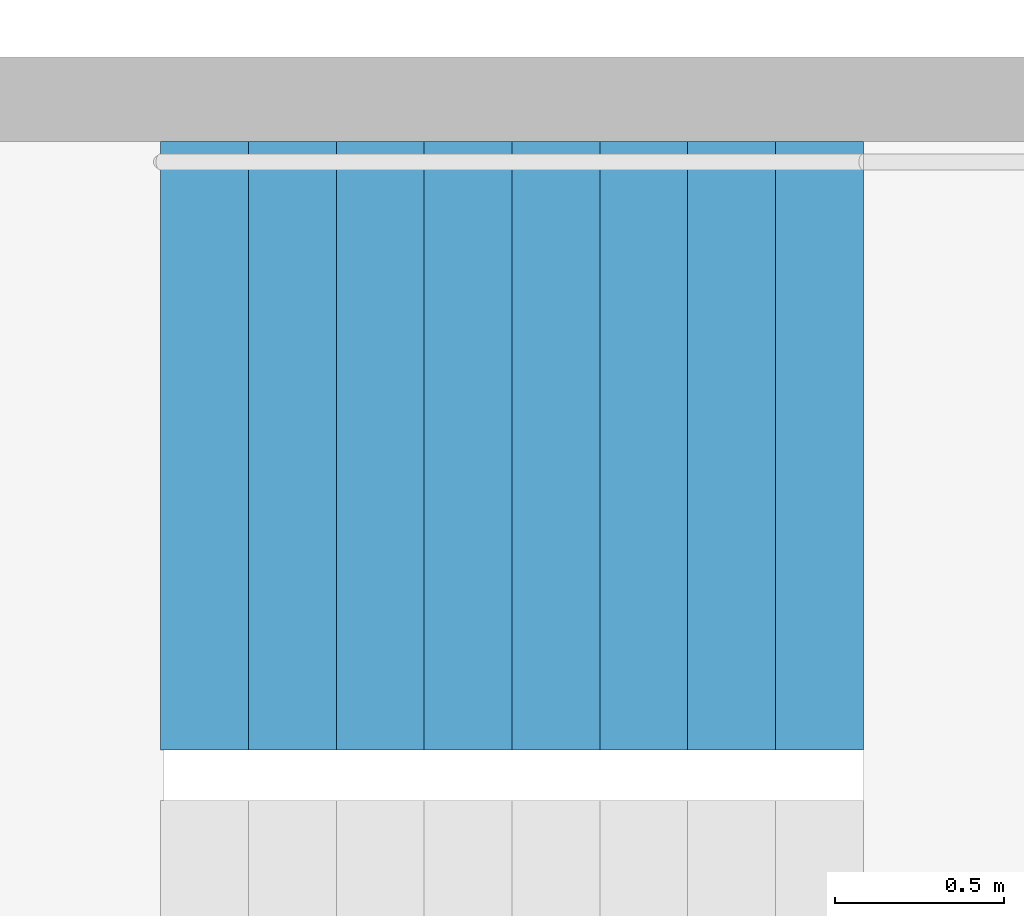
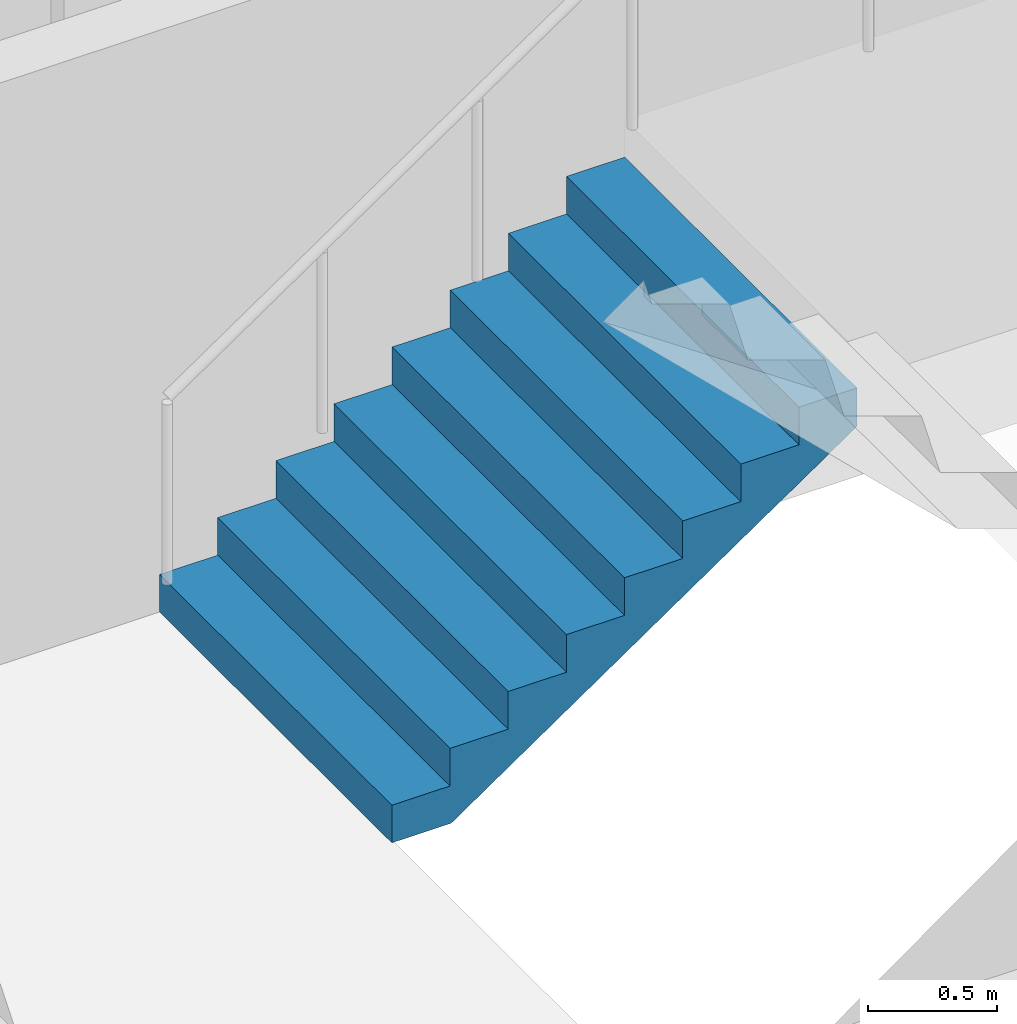
# One storey, part 22 of 25: 1 stair flight, 1 element without a shape of its own.
"""IFC4 building model written with IfcOpenShell, lengths in metres."""

import ifcopenshell
import ifcopenshell.guid

model = None  # the IFC model being written
_history = None  # IfcOwnerHistory: only IFC2X3 demands one
_inside = {}  # id of a spatial element -> (the spatial element, [elements in it])
_under = {}  # id of a project, library or spatial element -> (it, [spatial elements below it])
_declared = {}  # id of a project -> (the project, [libraries it declares])
_typed = {}  # id of a type object -> (the type object, [elements of that type])
_made_of = {}  # id of a material, layer set ... -> (it, [elements and type objects made of it])


def new_model(schema):
    """Start an empty IFC model of exactly this schema.

    Asked for "IFC4X3", IfcOpenShell would pick the latest addendum, in which some entities
    have other attributes; the version numbers below select the first issue.
    IFC2X3 requires an IfcOwnerHistory on every rooted entity: one is made here for all.
    """
    global model, _history
    if schema == "IFC4X3":
        model = ifcopenshell.file(schema_version=(4, 3, 0, 0))
    else:
        model = ifcopenshell.file(schema=schema)
    _inside.clear()
    _under.clear()
    _declared.clear()
    _typed.clear()
    _made_of.clear()
    _history = None
    if model.schema == "IFC2X3":
        org = make("IfcOrganization", Name="unknown")
        user = make(
            "IfcPersonAndOrganization",
            ThePerson=make("IfcPerson", FamilyName="unknown"),
            TheOrganization=org,
        )
        app = make(
            "IfcApplication",
            ApplicationDeveloper=org,
            Version="unknown",
            ApplicationFullName="unknown",
            ApplicationIdentifier="unknown",
        )
        _history = make(
            "IfcOwnerHistory",
            OwningUser=user,
            OwningApplication=app,
            ChangeAction="ADDED",
            CreationDate=0,
        )
    return model


def make(cls, **values):
    """One entity of the class cls with the attributes given. An attribute that is None is left unset."""
    return model.create_entity(
        cls, **{name: value for name, value in values.items() if value is not None}
    )


def rooted(cls, **values):
    """An entity with a GlobalId (a new one), such as an element, a storey or a relation."""
    return make(cls, GlobalId=ifcopenshell.guid.new(), OwnerHistory=_history, **values)


def si_unit(unit_type, name, prefix=None):
    """IfcSIUnit, for example si_unit("LENGTHUNIT", "METRE", prefix="MILLI")."""
    return make("IfcSIUnit", UnitType=unit_type, Prefix=prefix, Name=name)


def assignment(units):
    """IfcUnitAssignment: the units of a project."""
    return None if units is None else make("IfcUnitAssignment", Units=units)


def point(xyz):
    """IfcCartesianPoint."""
    return None if xyz is None else make("IfcCartesianPoint", Coordinates=xyz)


def direction(xyz):
    """IfcDirection."""
    return None if xyz is None else make("IfcDirection", DirectionRatios=xyz)


def frame(location, z_axis=None, x_axis=None):
    """IfcAxis2Placement3D, a coordinate frame: its origin and axes. An axis left out is left unset."""
    return make(
        "IfcAxis2Placement3D",
        Location=point(location),
        Axis=direction(z_axis),
        RefDirection=direction(x_axis),
    )


def origin():
    """The frame at (0, 0, 0) with its axes left unset."""
    return frame((0.0, 0.0, 0.0))


def place(relative_to, where):
    """IfcLocalPlacement: puts the frame where relative to a parent placement (None: the world)."""
    return make(
        "IfcLocalPlacement", PlacementRelTo=relative_to, RelativePlacement=where
    )


def context(
    kind, dimensions, precision=None, world=None, true_north=None, identifier=None
):
    """IfcGeometricRepresentationContext, for example the 3D "Model" context."""
    return make(
        "IfcGeometricRepresentationContext",
        ContextIdentifier=identifier,
        ContextType=kind,
        CoordinateSpaceDimension=dimensions,
        Precision=precision,
        WorldCoordinateSystem=world,
        TrueNorth=true_north,
    )


def subcontext(parent, identifier, kind, view, scale=None):
    """IfcGeometricRepresentationSubContext, for example "Body" below "Model"."""
    return make(
        "IfcGeometricRepresentationSubContext",
        ContextIdentifier=identifier,
        ContextType=kind,
        ParentContext=parent,
        TargetScale=scale,
        TargetView=view,
    )


def project(units=None, contexts=None):
    """IfcProject with its units and contexts."""
    return rooted(
        "IfcProject",
        Name="project",
        RepresentationContexts=contexts,
        UnitsInContext=assignment(units),
    )


def spatial(cls, under=None, at=None, **own):
    """A site, building, storey or space (cls), placed at a placement, below another one or the project."""
    s = rooted(cls, ObjectPlacement=at, **own)
    if under is not None:
        _under.setdefault(under.id(), (under, []))[1].append(s)
    return s


def point_list(points):
    """IfcCartesianPointList2D or 3D."""
    cls = (
        "IfcCartesianPointList2D" if len(points[0]) == 2 else "IfcCartesianPointList3D"
    )
    return make(cls, CoordList=points)


def triangles(points, corners, closed=None, point_numbers=None):
    """IfcTriangulatedFaceSet: each triangle names its three corners, points numbered from 1."""
    return make(
        "IfcTriangulatedFaceSet",
        Coordinates=point_list(points),
        Closed=closed,
        CoordIndex=corners,
        PnIndex=point_numbers,
    )


def shape(context_of_items, identifier, shape_type, items):
    """IfcShapeRepresentation: the items that make up one representation, for example the "Body"."""
    return make(
        "IfcShapeRepresentation",
        ContextOfItems=context_of_items,
        RepresentationIdentifier=identifier,
        RepresentationType=shape_type,
        Items=items,
    )


def material(Name=None, Category=None):
    """IfcMaterial."""
    return make("IfcMaterial", Name=Name, Category=Category)


def made_of(thing, what):
    """Note that an element or type object is made of a material, layer set ...; save() writes the relation."""
    if what is not None:
        _made_of.setdefault(what.id(), (what, []))[1].append(thing)
    return thing


def type_object(cls, material=None, **own):
    """A type object (cls), such as IfcWallType, which elements share."""
    return made_of(rooted(cls, **own), material)


def element(
    cls,
    number,
    at=None,
    inside=None,
    cuts=None,
    type_object=None,
    material=None,
    context=None,
    identifier="Body",
    shape_type=None,
    held_by="IfcProductDefinitionShape",
    body=None,
    shapes=None,
    **own,
):
    """One element of the class cls, such as IfcWall. Its Tag is "e" and its number.

    at: its placement. inside: the storey or other place that contains it. cuts: it is an
    opening in that element (IfcRelVoidsElement). A single representation is given by context,
    identifier, shape_type and body (its items); several are given by shapes. held_by: the class
    of the entity that holds the representations. save() writes the other relations.
    """
    e = rooted(cls, Tag="e%d" % number, ObjectPlacement=at, **own)
    if body is not None:
        shapes = [shape(context, identifier, shape_type, body)]
    if shapes is not None:
        e.Representation = make(held_by, Representations=shapes)
    if inside is not None:
        _inside.setdefault(inside.id(), (inside, []))[1].append(e)
    if cuts is not None:
        rooted(
            "IfcRelVoidsElement", RelatingBuildingElement=cuts, RelatedOpeningElement=e
        )
    if type_object is not None:
        _typed.setdefault(type_object.id(), (type_object, []))[1].append(e)
    return made_of(e, material)


def aggregate(whole, parts):
    """IfcRelAggregates: a whole, such as a stair, and the parts it consists of."""
    return rooted("IfcRelAggregates", RelatingObject=whole, RelatedObjects=parts)


def save(model, path):
    """Write the relations noted so far, then the file.

    IfcRelAggregates (storeys below a building ...), IfcRelContainedInSpatialStructure (elements
    in a storey), IfcRelDefinesByType, IfcRelAssociatesMaterial and IfcRelDeclares: one each for
    every whole, place, type object, material and project.
    """
    for whole, parts in _under.values():
        aggregate(whole, parts)
    for where, things in _inside.values():
        rooted(
            "IfcRelContainedInSpatialStructure",
            RelatedElements=things,
            RelatingStructure=where,
        )
    for kind, things in _typed.values():
        rooted("IfcRelDefinesByType", RelatedObjects=things, RelatingType=kind)
    for what, things in _made_of.values():
        rooted("IfcRelAssociatesMaterial", RelatedObjects=things, RelatingMaterial=what)
    for by, libraries in _declared.values():
        rooted("IfcRelDeclares", RelatingContext=by, RelatedDefinitions=libraries)
    model.write(path)


model = new_model("IFC4")

# Units and contexts
model_context = context("Model", 3, precision=1e-05, world=origin(), true_north=direction((0.0, 1.0)))
body_context = subcontext(model_context, "Body", "Model", "MODEL_VIEW")
ifc_project = project(units=[si_unit("LENGTHUNIT", "METRE"), si_unit("AREAUNIT", "SQUARE_METRE"), si_unit("VOLUMEUNIT", "CUBIC_METRE"), si_unit("PLANEANGLEUNIT", "RADIAN"), si_unit("MASSUNIT", "GRAM", prefix="KILO")], contexts=[model_context])

# Site, building, storey
site_placement = place(None, origin())
site = spatial("IfcSite", under=ifc_project, at=site_placement, CompositionType="ELEMENT")
building_placement = place(site_placement, origin())
building = spatial("IfcBuilding", under=site, at=building_placement, Name="Hakoniwa Tower and Hamabe Station Hall", CompositionType="ELEMENT")
storey_placement = place(building_placement, frame((0.0, 0.0, 202.60009765625)))
storey = spatial("IfcBuildingStorey", under=building, at=storey_placement, Name="L57", CompositionType="ELEMENT", Elevation=202.60009765625)

# Stair, stair flight
ifc_material_1 = material(Name="Concrete C40", Category="concrete")
stair_type = type_object("IfcStairType", Name="ESCAPE STAIR 1800", PredefinedType="HALF_TURN_STAIR", material=ifc_material_1)
stair_placement = place(storey_placement, origin())
stair = element("IfcStair", 1, at=stair_placement, inside=storey, type_object=stair_type, Name="Escape stair ST-4 L57", PredefinedType="HALF_TURN_STAIR")
ifc_material_2 = material(Name="Concrete C40", Category="concrete")
stair_flight_type = type_object("IfcStairFlightType", Name="STAIR FLIGHT 1800", PredefinedType="STRAIGHT", material=ifc_material_2)
stair_flight_placement = place(storey_placement, frame((23.39990234375, -4.64990234375, 0.0), z_axis=(0.0, 0.0, 1.0), x_axis=(1.0, 0.0, 0.0)))
stair_flight = element("IfcStairFlight", 2, at=stair_flight_placement, type_object=stair_flight_type, Name="ST-4 flight 1", NumberOfRisers=9, NumberOfTreads=8, PredefinedType="STRAIGHT", RiserHeight=0.177777778, TreadLength=0.26, context=body_context, shape_type="Tessellation", body=[
    triangles([(0.0, 0.89990234375, 0.0), (0.260009765625, 0.89990234375, 0.0), (0.265625, 0.89990234375, 0.0), (0.52001953125, 0.89990234375, 0.174072265625), (0.780029296875, 0.89990234375, 0.351806640625), (1.0400390625, 0.89990234375, 0.529541015625), (1.300048828125, 0.89990234375, 0.707275390625), (1.56005859375, 0.89990234375, 0.885009765625), (1.820068359375, 0.89990234375, 1.062744140625), (2.080078125, 0.89990234375, 1.24072265625), (2.080078125, 0.89990234375, 1.422119140625), (1.820068359375, 0.89990234375, 1.422119140625), (1.820068359375, 0.89990234375, 1.244384765625), (1.56005859375, 0.89990234375, 1.244384765625), (1.56005859375, 0.89990234375, 1.066650390625), (1.300048828125, 0.89990234375, 1.066650390625), (1.300048828125, 0.89990234375, 0.888916015625), (1.0400390625, 0.89990234375, 0.888916015625), (1.0400390625, 0.89990234375, 0.711181640625), (0.780029296875, 0.89990234375, 0.711181640625), (0.780029296875, 0.89990234375, 0.533447265625), (0.52001953125, 0.89990234375, 0.533447265625), (0.52001953125, 0.89990234375, 0.35546875), (0.265625, 0.89990234375, 0.35546875), (0.260009765625, 0.89990234375, 0.35546875), (0.260009765625, 0.89990234375, 0.177734375), (0.0, 0.89990234375, 0.177734375), (0.0, 0.06005859375, 0.0), (0.260009765625, 0.06005859375, 0.0), (0.265625, 0.06005859375, 0.0), (0.52001953125, 0.06005859375, 0.174072265625), (0.780029296875, 0.06005859375, 0.351806640625), (1.0400390625, 0.06005859375, 0.529541015625), (1.300048828125, 0.06005859375, 0.707275390625), (1.56005859375, 0.06005859375, 0.885009765625), (1.820068359375, 0.06005859375, 1.062744140625), (2.080078125, 0.06005859375, 1.24072265625), (2.080078125, 0.06005859375, 1.422119140625), (1.820068359375, 0.06005859375, 1.422119140625), (1.820068359375, 0.06005859375, 1.244384765625), (1.56005859375, 0.06005859375, 1.244384765625), (1.56005859375, 0.06005859375, 1.066650390625), (1.300048828125, 0.06005859375, 1.066650390625), (1.300048828125, 0.06005859375, 0.888916015625), (1.0400390625, 0.06005859375, 0.888916015625), (1.0400390625, 0.06005859375, 0.711181640625), (0.780029296875, 0.06005859375, 0.711181640625), (0.780029296875, 0.06005859375, 0.533447265625), (0.52001953125, 0.06005859375, 0.533447265625), (0.52001953125, 0.06005859375, 0.35546875), (0.265625, 0.06005859375, 0.35546875), (0.260009765625, 0.06005859375, 0.35546875), (0.260009765625, 0.06005859375, 0.177734375), (0.0, 0.06005859375, 0.177734375), (0.0, 0.04296875, 0.0), (0.260009765625, 0.04296875, 0.0), (0.265625, 0.04296875, 0.0), (0.52001953125, 0.04296875, 0.174072265625), (0.780029296875, 0.04296875, 0.351806640625), (1.0400390625, 0.04296875, 0.529541015625), (1.300048828125, 0.04296875, 0.707275390625), (1.56005859375, 0.04296875, 0.885009765625), (1.820068359375, 0.04296875, 1.062744140625), (2.080078125, 0.04296875, 1.24072265625), (2.080078125, 0.04296875, 1.422119140625), (1.820068359375, 0.04296875, 1.422119140625), (1.820068359375, 0.04296875, 1.244384765625), (1.56005859375, 0.04296875, 1.244384765625), (1.56005859375, 0.04296875, 1.066650390625), (1.300048828125, 0.04296875, 1.066650390625), (1.300048828125, 0.04296875, 0.888916015625), (1.0400390625, 0.04296875, 0.888916015625), (1.0400390625, 0.04296875, 0.711181640625), (0.780029296875, 0.04296875, 0.711181640625), (0.780029296875, 0.04296875, 0.533447265625), (0.52001953125, 0.04296875, 0.533447265625), (0.52001953125, 0.04296875, 0.35546875), (0.265625, 0.04296875, 0.35546875), (0.260009765625, 0.04296875, 0.35546875), (0.260009765625, 0.04296875, 0.177734375), (0.0, 0.04296875, 0.177734375), (0.0, 0.025634765625, 0.0), (0.260009765625, 0.025634765625, 0.0), (0.265625, 0.025634765625, 0.0), (0.52001953125, 0.025634765625, 0.174072265625), (0.780029296875, 0.025634765625, 0.351806640625), (1.0400390625, 0.025634765625, 0.529541015625), (1.300048828125, 0.025634765625, 0.707275390625), (1.56005859375, 0.025634765625, 0.885009765625), (1.820068359375, 0.025634765625, 1.062744140625), (2.080078125, 0.025634765625, 1.24072265625), (2.080078125, 0.025634765625, 1.422119140625), (1.820068359375, 0.025634765625, 1.422119140625), (1.820068359375, 0.025634765625, 1.244384765625), (1.56005859375, 0.025634765625, 1.244384765625), (1.56005859375, 0.025634765625, 1.066650390625), (1.300048828125, 0.025634765625, 1.066650390625), (1.300048828125, 0.025634765625, 0.888916015625), (1.0400390625, 0.025634765625, 0.888916015625), (1.0400390625, 0.025634765625, 0.711181640625), (0.780029296875, 0.025634765625, 0.711181640625), (0.780029296875, 0.025634765625, 0.533447265625), (0.52001953125, 0.025634765625, 0.533447265625), (0.52001953125, 0.025634765625, 0.35546875), (0.265625, 0.025634765625, 0.35546875), (0.260009765625, 0.025634765625, 0.35546875), (0.260009765625, 0.025634765625, 0.177734375), (0.0, 0.025634765625, 0.177734375), (0.0, 0.008544921875, 0.0), (0.260009765625, 0.008544921875, 0.0), (0.265625, 0.008544921875, 0.0), (0.52001953125, 0.008544921875, 0.174072265625), (0.780029296875, 0.008544921875, 0.351806640625), (1.0400390625, 0.008544921875, 0.529541015625), (1.300048828125, 0.008544921875, 0.707275390625), (1.56005859375, 0.008544921875, 0.885009765625), (1.820068359375, 0.008544921875, 1.062744140625), (2.080078125, 0.008544921875, 1.24072265625), (2.080078125, 0.008544921875, 1.422119140625), (1.820068359375, 0.008544921875, 1.422119140625), (1.820068359375, 0.008544921875, 1.244384765625), (1.56005859375, 0.008544921875, 1.244384765625), (1.56005859375, 0.008544921875, 1.066650390625), (1.300048828125, 0.008544921875, 1.066650390625), (1.300048828125, 0.008544921875, 0.888916015625), (1.0400390625, 0.008544921875, 0.888916015625), (1.0400390625, 0.008544921875, 0.711181640625), (0.780029296875, 0.008544921875, 0.711181640625), (0.780029296875, 0.008544921875, 0.533447265625), (0.52001953125, 0.008544921875, 0.533447265625), (0.52001953125, 0.008544921875, 0.35546875), (0.265625, 0.008544921875, 0.35546875), (0.260009765625, 0.008544921875, 0.35546875), (0.260009765625, 0.008544921875, 0.177734375), (0.0, 0.008544921875, 0.177734375), (0.0, -0.008544921875, 0.0), (0.260009765625, -0.008544921875, 0.0), (0.265625, -0.008544921875, 0.0), (0.52001953125, -0.008544921875, 0.174072265625), (0.780029296875, -0.008544921875, 0.351806640625), (1.0400390625, -0.008544921875, 0.529541015625), (1.300048828125, -0.008544921875, 0.707275390625), (1.56005859375, -0.008544921875, 0.885009765625), (1.820068359375, -0.008544921875, 1.062744140625), (2.080078125, -0.008544921875, 1.24072265625), (2.080078125, -0.008544921875, 1.422119140625), (1.820068359375, -0.008544921875, 1.422119140625), (1.820068359375, -0.008544921875, 1.244384765625), (1.56005859375, -0.008544921875, 1.244384765625), (1.56005859375, -0.008544921875, 1.066650390625), (1.300048828125, -0.008544921875, 1.066650390625), (1.300048828125, -0.008544921875, 0.888916015625), (1.0400390625, -0.008544921875, 0.888916015625), (1.0400390625, -0.008544921875, 0.711181640625), (0.780029296875, -0.008544921875, 0.711181640625), (0.780029296875, -0.008544921875, 0.533447265625), (0.52001953125, -0.008544921875, 0.533447265625), (0.52001953125, -0.008544921875, 0.35546875), (0.265625, -0.008544921875, 0.35546875), (0.260009765625, -0.008544921875, 0.35546875), (0.260009765625, -0.008544921875, 0.177734375), (0.0, -0.008544921875, 0.177734375), (0.0, -0.025634765625, 0.0), (0.260009765625, -0.025634765625, 0.0), (0.265625, -0.025634765625, 0.0), (0.52001953125, -0.025634765625, 0.174072265625), (0.780029296875, -0.025634765625, 0.351806640625), (1.0400390625, -0.025634765625, 0.529541015625), (1.300048828125, -0.025634765625, 0.707275390625), (1.56005859375, -0.025634765625, 0.885009765625), (1.820068359375, -0.025634765625, 1.062744140625), (2.080078125, -0.025634765625, 1.24072265625), (2.080078125, -0.025634765625, 1.422119140625), (1.820068359375, -0.025634765625, 1.422119140625), (1.820068359375, -0.025634765625, 1.244384765625), (1.56005859375, -0.025634765625, 1.244384765625), (1.56005859375, -0.025634765625, 1.066650390625), (1.300048828125, -0.025634765625, 1.066650390625), (1.300048828125, -0.025634765625, 0.888916015625), (1.0400390625, -0.025634765625, 0.888916015625), (1.0400390625, -0.025634765625, 0.711181640625), (0.780029296875, -0.025634765625, 0.711181640625), (0.780029296875, -0.025634765625, 0.533447265625), (0.52001953125, -0.025634765625, 0.533447265625), (0.52001953125, -0.025634765625, 0.35546875), (0.265625, -0.025634765625, 0.35546875), (0.260009765625, -0.025634765625, 0.35546875), (0.260009765625, -0.025634765625, 0.177734375), (0.0, -0.025634765625, 0.177734375), (0.0, -0.04296875, 0.0), (0.260009765625, -0.04296875, 0.0), (0.265625, -0.04296875, 0.0), (0.52001953125, -0.04296875, 0.174072265625), (0.780029296875, -0.04296875, 0.351806640625), (1.0400390625, -0.04296875, 0.529541015625), (1.300048828125, -0.04296875, 0.707275390625), (1.56005859375, -0.04296875, 0.885009765625), (1.820068359375, -0.04296875, 1.062744140625), (2.080078125, -0.04296875, 1.24072265625), (2.080078125, -0.04296875, 1.422119140625), (1.820068359375, -0.04296875, 1.422119140625), (1.820068359375, -0.04296875, 1.244384765625), (1.56005859375, -0.04296875, 1.244384765625), (1.56005859375, -0.04296875, 1.066650390625), (1.300048828125, -0.04296875, 1.066650390625), (1.300048828125, -0.04296875, 0.888916015625), (1.0400390625, -0.04296875, 0.888916015625), (1.0400390625, -0.04296875, 0.711181640625), (0.780029296875, -0.04296875, 0.711181640625), (0.780029296875, -0.04296875, 0.533447265625), (0.52001953125, -0.04296875, 0.533447265625), (0.52001953125, -0.04296875, 0.35546875), (0.265625, -0.04296875, 0.35546875), (0.260009765625, -0.04296875, 0.35546875), (0.260009765625, -0.04296875, 0.177734375), (0.0, -0.04296875, 0.177734375), (0.0, -0.06005859375, 0.0), (0.260009765625, -0.06005859375, 0.0), (0.265625, -0.06005859375, 0.0), (0.52001953125, -0.06005859375, 0.174072265625), (0.780029296875, -0.06005859375, 0.351806640625), (1.0400390625, -0.06005859375, 0.529541015625), (1.300048828125, -0.06005859375, 0.707275390625), (1.56005859375, -0.06005859375, 0.885009765625), (1.820068359375, -0.06005859375, 1.062744140625), (2.080078125, -0.06005859375, 1.24072265625), (2.080078125, -0.06005859375, 1.422119140625), (1.820068359375, -0.06005859375, 1.422119140625), (1.820068359375, -0.06005859375, 1.244384765625), (1.56005859375, -0.06005859375, 1.244384765625), (1.56005859375, -0.06005859375, 1.066650390625), (1.300048828125, -0.06005859375, 1.066650390625), (1.300048828125, -0.06005859375, 0.888916015625), (1.0400390625, -0.06005859375, 0.888916015625), (1.0400390625, -0.06005859375, 0.711181640625), (0.780029296875, -0.06005859375, 0.711181640625), (0.780029296875, -0.06005859375, 0.533447265625), (0.52001953125, -0.06005859375, 0.533447265625), (0.52001953125, -0.06005859375, 0.35546875), (0.265625, -0.06005859375, 0.35546875), (0.260009765625, -0.06005859375, 0.35546875), (0.260009765625, -0.06005859375, 0.177734375), (0.0, -0.06005859375, 0.177734375), (0.0, -0.89990234375, 0.0), (0.260009765625, -0.89990234375, 0.0), (0.265625, -0.89990234375, 0.0), (0.52001953125, -0.89990234375, 0.174072265625), (0.780029296875, -0.89990234375, 0.351806640625), (1.0400390625, -0.89990234375, 0.529541015625), (1.300048828125, -0.89990234375, 0.707275390625), (1.56005859375, -0.89990234375, 0.885009765625), (1.820068359375, -0.89990234375, 1.062744140625), (2.080078125, -0.89990234375, 1.24072265625), (2.080078125, -0.89990234375, 1.422119140625), (1.820068359375, -0.89990234375, 1.422119140625), (1.820068359375, -0.89990234375, 1.244384765625), (1.56005859375, -0.89990234375, 1.244384765625), (1.56005859375, -0.89990234375, 1.066650390625), (1.300048828125, -0.89990234375, 1.066650390625), (1.300048828125, -0.89990234375, 0.888916015625), (1.0400390625, -0.89990234375, 0.888916015625), (1.0400390625, -0.89990234375, 0.711181640625), (0.780029296875, -0.89990234375, 0.711181640625), (0.780029296875, -0.89990234375, 0.533447265625), (0.52001953125, -0.89990234375, 0.533447265625), (0.52001953125, -0.89990234375, 0.35546875), (0.265625, -0.89990234375, 0.35546875), (0.260009765625, -0.89990234375, 0.35546875), (0.260009765625, -0.89990234375, 0.177734375), (0.0, -0.89990234375, 0.177734375)], [[2, 27, 26], [245, 269, 270], [2, 1, 27], [245, 270, 244], [3, 25, 24], [246, 267, 268], [3, 26, 25], [246, 268, 269], [3, 2, 26], [246, 269, 245], [4, 24, 23], [247, 266, 267], [4, 3, 24], [247, 267, 246], [5, 22, 21], [248, 264, 265], [5, 23, 22], [248, 265, 266], [5, 4, 23], [248, 266, 247], [6, 20, 19], [249, 262, 263], [6, 21, 20], [249, 263, 264], [6, 5, 21], [249, 264, 248], [7, 18, 17], [250, 260, 261], [7, 19, 18], [250, 261, 262], [7, 6, 19], [250, 262, 249], [8, 16, 15], [251, 258, 259], [8, 17, 16], [251, 259, 260], [8, 7, 17], [251, 260, 250], [9, 14, 13], [252, 256, 257], [9, 15, 14], [252, 257, 258], [9, 8, 15], [252, 258, 251], [10, 12, 11], [253, 254, 255], [10, 13, 12], [253, 255, 256], [10, 9, 13], [253, 256, 252], [1, 2, 29], [1, 29, 28], [28, 29, 56], [28, 56, 55], [55, 56, 83], [55, 83, 82], [82, 83, 110], [82, 110, 109], [109, 110, 137], [109, 137, 136], [136, 137, 164], [136, 164, 163], [163, 164, 191], [163, 191, 190], [190, 191, 218], [190, 218, 217], [217, 218, 245], [217, 245, 244], [2, 3, 30], [2, 30, 29], [29, 30, 57], [29, 57, 56], [56, 57, 84], [56, 84, 83], [83, 84, 111], [83, 111, 110], [110, 111, 138], [110, 138, 137], [137, 138, 165], [137, 165, 164], [164, 165, 192], [164, 192, 191], [191, 192, 219], [191, 219, 218], [218, 219, 246], [218, 246, 245], [3, 4, 31], [3, 31, 30], [30, 31, 58], [30, 58, 57], [57, 58, 85], [57, 85, 84], [84, 85, 112], [84, 112, 111], [111, 112, 139], [111, 139, 138], [138, 139, 166], [138, 166, 165], [165, 166, 193], [165, 193, 192], [192, 193, 220], [192, 220, 219], [219, 220, 247], [219, 247, 246], [4, 5, 32], [4, 32, 31], [31, 32, 59], [31, 59, 58], [58, 59, 86], [58, 86, 85], [85, 86, 113], [85, 113, 112], [112, 113, 140], [112, 140, 139], [139, 140, 167], [139, 167, 166], [166, 167, 194], [166, 194, 193], [193, 194, 221], [193, 221, 220], [220, 221, 248], [220, 248, 247], [5, 6, 33], [5, 33, 32], [32, 33, 60], [32, 60, 59], [59, 60, 87], [59, 87, 86], [86, 87, 114], [86, 114, 113], [113, 114, 141], [113, 141, 140], [140, 141, 168], [140, 168, 167], [167, 168, 195], [167, 195, 194], [194, 195, 222], [194, 222, 221], [221, 222, 249], [221, 249, 248], [6, 7, 34], [6, 34, 33], [33, 34, 61], [33, 61, 60], [60, 61, 88], [60, 88, 87], [87, 88, 115], [87, 115, 114], [114, 115, 142], [114, 142, 141], [141, 142, 169], [141, 169, 168], [168, 169, 196], [168, 196, 195], [195, 196, 223], [195, 223, 222], [222, 223, 250], [222, 250, 249], [7, 8, 35], [7, 35, 34], [34, 35, 62], [34, 62, 61], [61, 62, 89], [61, 89, 88], [88, 89, 116], [88, 116, 115], [115, 116, 143], [115, 143, 142], [142, 143, 170], [142, 170, 169], [169, 170, 197], [169, 197, 196], [196, 197, 224], [196, 224, 223], [223, 224, 251], [223, 251, 250], [8, 9, 36], [8, 36, 35], [35, 36, 63], [35, 63, 62], [62, 63, 90], [62, 90, 89], [89, 90, 117], [89, 117, 116], [116, 117, 144], [116, 144, 143], [143, 144, 171], [143, 171, 170], [170, 171, 198], [170, 198, 197], [197, 198, 225], [197, 225, 224], [224, 225, 252], [224, 252, 251], [9, 10, 37], [9, 37, 36], [36, 37, 64], [36, 64, 63], [63, 64, 91], [63, 91, 90], [90, 91, 118], [90, 118, 117], [117, 118, 145], [117, 145, 144], [144, 145, 172], [144, 172, 171], [171, 172, 199], [171, 199, 198], [198, 199, 226], [198, 226, 225], [225, 226, 253], [225, 253, 252], [10, 11, 38], [10, 38, 37], [37, 38, 65], [37, 65, 64], [64, 65, 92], [64, 92, 91], [91, 92, 119], [91, 119, 118], [118, 119, 146], [118, 146, 145], [145, 146, 173], [145, 173, 172], [172, 173, 200], [172, 200, 199], [199, 200, 227], [199, 227, 226], [226, 227, 254], [226, 254, 253], [11, 12, 39], [11, 39, 38], [38, 39, 66], [38, 66, 65], [65, 66, 93], [65, 93, 92], [92, 93, 120], [92, 120, 119], [119, 120, 147], [119, 147, 146], [146, 147, 174], [146, 174, 173], [173, 174, 201], [173, 201, 200], [200, 201, 228], [200, 228, 227], [227, 228, 255], [227, 255, 254], [12, 13, 40], [12, 40, 39], [39, 40, 67], [39, 67, 66], [66, 67, 94], [66, 94, 93], [93, 94, 121], [93, 121, 120], [120, 121, 148], [120, 148, 147], [147, 148, 175], [147, 175, 174], [174, 175, 202], [174, 202, 201], [201, 202, 229], [201, 229, 228], [228, 229, 256], [228, 256, 255], [13, 14, 41], [13, 41, 40], [40, 41, 68], [40, 68, 67], [67, 68, 95], [67, 95, 94], [94, 95, 122], [94, 122, 121], [121, 122, 149], [121, 149, 148], [148, 149, 176], [148, 176, 175], [175, 176, 203], [175, 203, 202], [202, 203, 230], [202, 230, 229], [229, 230, 257], [229, 257, 256], [14, 15, 42], [14, 42, 41], [41, 42, 69], [41, 69, 68], [68, 69, 96], [68, 96, 95], [95, 96, 123], [95, 123, 122], [122, 123, 150], [122, 150, 149], [149, 150, 177], [149, 177, 176], [176, 177, 204], [176, 204, 203], [203, 204, 231], [203, 231, 230], [230, 231, 258], [230, 258, 257], [15, 16, 43], [15, 43, 42], [42, 43, 70], [42, 70, 69], [69, 70, 97], [69, 97, 96], [96, 97, 124], [96, 124, 123], [123, 124, 151], [123, 151, 150], [150, 151, 178], [150, 178, 177], [177, 178, 205], [177, 205, 204], [204, 205, 232], [204, 232, 231], [231, 232, 259], [231, 259, 258], [16, 17, 44], [16, 44, 43], [43, 44, 71], [43, 71, 70], [70, 71, 98], [70, 98, 97], [97, 98, 125], [97, 125, 124], [124, 125, 152], [124, 152, 151], [151, 152, 179], [151, 179, 178], [178, 179, 206], [178, 206, 205], [205, 206, 233], [205, 233, 232], [232, 233, 260], [232, 260, 259], [17, 18, 45], [17, 45, 44], [44, 45, 72], [44, 72, 71], [71, 72, 99], [71, 99, 98], [98, 99, 126], [98, 126, 125], [125, 126, 153], [125, 153, 152], [152, 153, 180], [152, 180, 179], [179, 180, 207], [179, 207, 206], [206, 207, 234], [206, 234, 233], [233, 234, 261], [233, 261, 260], [18, 19, 46], [18, 46, 45], [45, 46, 73], [45, 73, 72], [72, 73, 100], [72, 100, 99], [99, 100, 127], [99, 127, 126], [126, 127, 154], [126, 154, 153], [153, 154, 181], [153, 181, 180], [180, 181, 208], [180, 208, 207], [207, 208, 235], [207, 235, 234], [234, 235, 262], [234, 262, 261], [19, 20, 47], [19, 47, 46], [46, 47, 74], [46, 74, 73], [73, 74, 101], [73, 101, 100], [100, 101, 128], [100, 128, 127], [127, 128, 155], [127, 155, 154], [154, 155, 182], [154, 182, 181], [181, 182, 209], [181, 209, 208], [208, 209, 236], [208, 236, 235], [235, 236, 263], [235, 263, 262], [20, 21, 48], [20, 48, 47], [47, 48, 75], [47, 75, 74], [74, 75, 102], [74, 102, 101], [101, 102, 129], [101, 129, 128], [128, 129, 156], [128, 156, 155], [155, 156, 183], [155, 183, 182], [182, 183, 210], [182, 210, 209], [209, 210, 237], [209, 237, 236], [236, 237, 264], [236, 264, 263], [21, 22, 49], [21, 49, 48], [48, 49, 76], [48, 76, 75], [75, 76, 103], [75, 103, 102], [102, 103, 130], [102, 130, 129], [129, 130, 157], [129, 157, 156], [156, 157, 184], [156, 184, 183], [183, 184, 211], [183, 211, 210], [210, 211, 238], [210, 238, 237], [237, 238, 265], [237, 265, 264], [22, 23, 50], [22, 50, 49], [49, 50, 77], [49, 77, 76], [76, 77, 104], [76, 104, 103], [103, 104, 131], [103, 131, 130], [130, 131, 158], [130, 158, 157], [157, 158, 185], [157, 185, 184], [184, 185, 212], [184, 212, 211], [211, 212, 239], [211, 239, 238], [238, 239, 266], [238, 266, 265], [23, 24, 51], [23, 51, 50], [50, 51, 78], [50, 78, 77], [77, 78, 105], [77, 105, 104], [104, 105, 132], [104, 132, 131], [131, 132, 159], [131, 159, 158], [158, 159, 186], [158, 186, 185], [185, 186, 213], [185, 213, 212], [212, 213, 240], [212, 240, 239], [239, 240, 267], [239, 267, 266], [24, 25, 52], [24, 52, 51], [51, 52, 79], [51, 79, 78], [78, 79, 106], [78, 106, 105], [105, 106, 133], [105, 133, 132], [132, 133, 160], [132, 160, 159], [159, 160, 187], [159, 187, 186], [186, 187, 214], [186, 214, 213], [213, 214, 241], [213, 241, 240], [240, 241, 268], [240, 268, 267], [25, 26, 53], [25, 53, 52], [52, 53, 80], [52, 80, 79], [79, 80, 107], [79, 107, 106], [106, 107, 134], [106, 134, 133], [133, 134, 161], [133, 161, 160], [160, 161, 188], [160, 188, 187], [187, 188, 215], [187, 215, 214], [214, 215, 242], [214, 242, 241], [241, 242, 269], [241, 269, 268], [26, 27, 54], [26, 54, 53], [53, 54, 81], [53, 81, 80], [80, 81, 108], [80, 108, 107], [107, 108, 135], [107, 135, 134], [134, 135, 162], [134, 162, 161], [161, 162, 189], [161, 189, 188], [188, 189, 216], [188, 216, 215], [215, 216, 243], [215, 243, 242], [242, 243, 270], [242, 270, 269], [27, 1, 28], [27, 28, 54], [54, 28, 55], [54, 55, 81], [81, 55, 82], [81, 82, 108], [108, 82, 109], [108, 109, 135], [135, 109, 136], [135, 136, 162], [162, 136, 163], [162, 163, 189], [189, 163, 190], [189, 190, 216], [216, 190, 217], [216, 217, 243], [243, 217, 244], [243, 244, 270]], closed=True),
])
aggregate(stair, [stair_flight])

save(model, "model.ifc")
